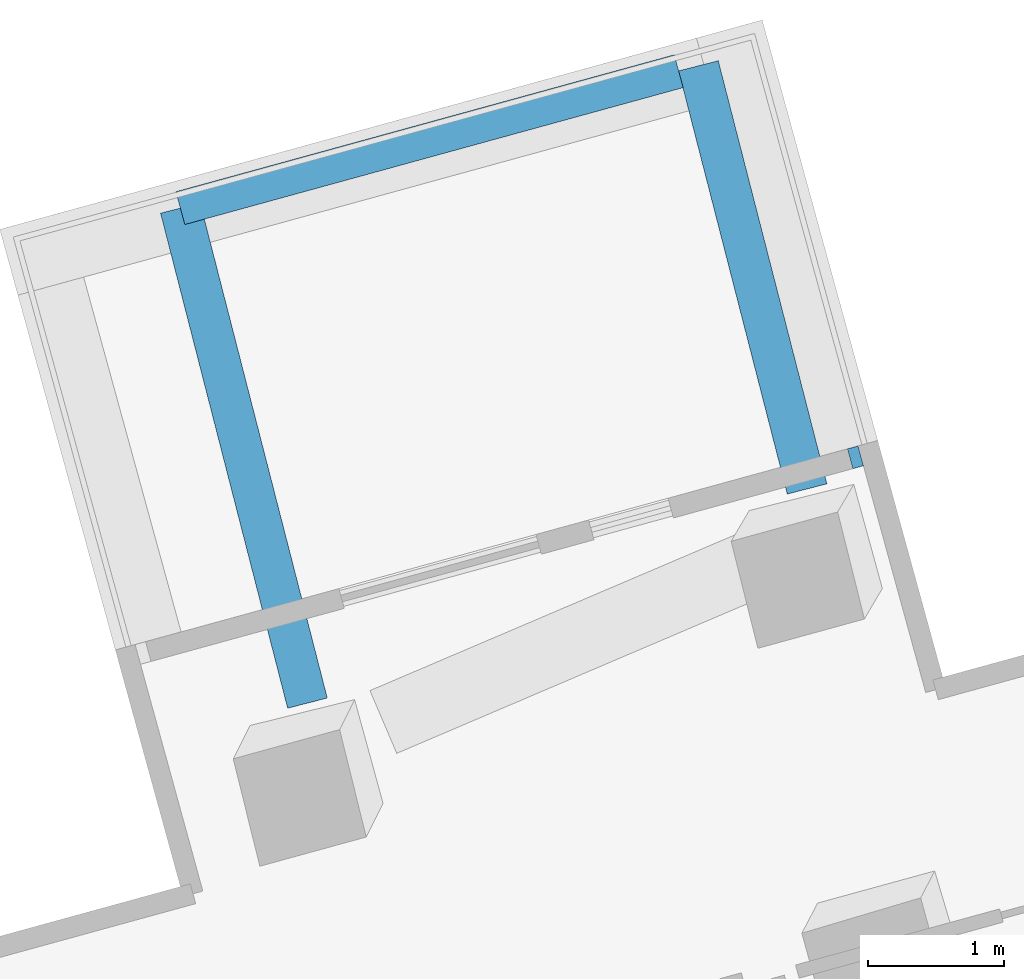
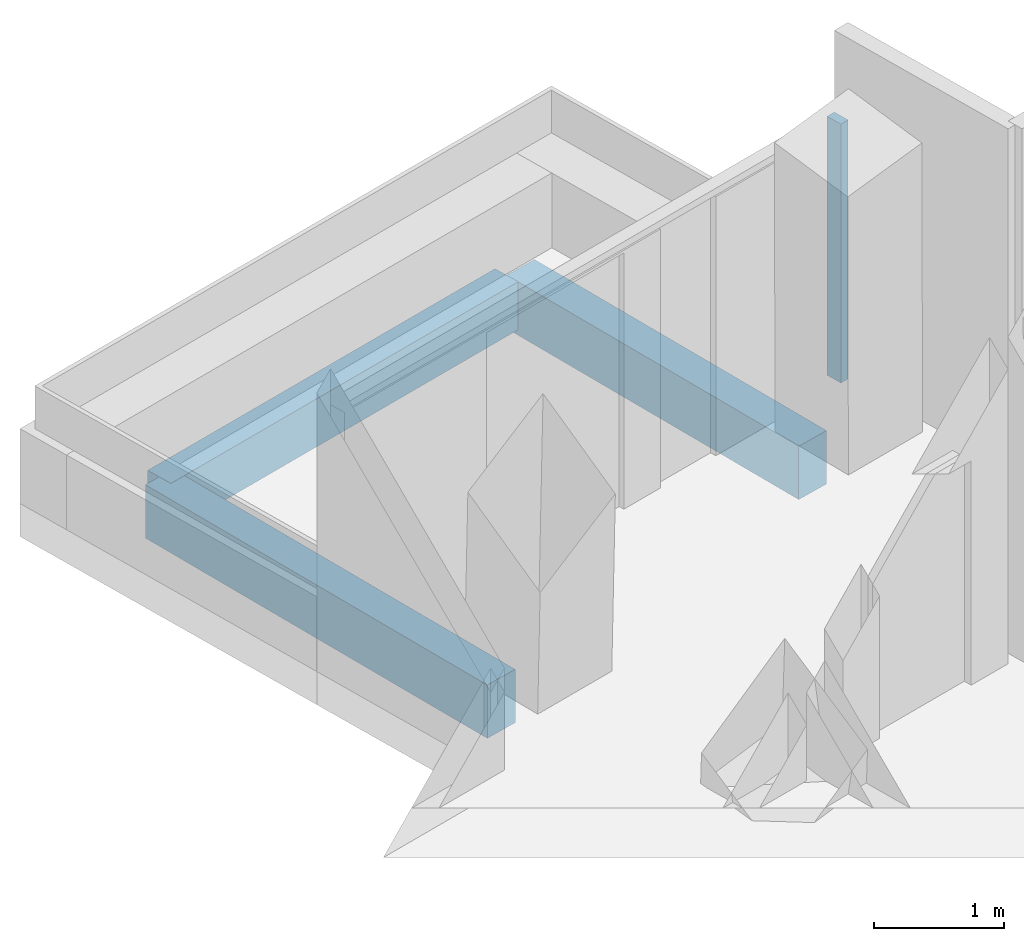
# One storey, part 11 of 26: 3 beams, 1 member, 1 element without a shape of its own.
"""IFC4 building model written with IfcOpenShell, lengths in metres."""

from ifc_helpers import new_model, si_unit, direction, frame, origin, origin_2d, place, context, subcontext, project, spatial, rectangle, extrude, material, layer, layer_set, material_profile, profile_set, type_object, element, aggregate, save


model = new_model("IFC4")

# Units and contexts
model_context = context("Model", 3, precision=1e-05, world=origin(), true_north=direction((0.0, 1.0)))
body_context = subcontext(model_context, "Body", "Model", "MODEL_VIEW")
ifc_project = project(units=[si_unit("LENGTHUNIT", "METRE"), si_unit("AREAUNIT", "SQUARE_METRE"), si_unit("VOLUMEUNIT", "CUBIC_METRE"), si_unit("PLANEANGLEUNIT", "RADIAN"), si_unit("MASSUNIT", "GRAM", prefix="KILO")], contexts=[model_context])

# Site, building, storey
site_placement = place(None, origin())
site = spatial("IfcSite", under=ifc_project, at=site_placement, CompositionType="ELEMENT")
building_placement = place(site_placement, origin())
building = spatial("IfcBuilding", under=site, at=building_placement, Name="Verdalira Terraces Hotel", CompositionType="ELEMENT")
storey_placement = place(building_placement, frame((0.0, 0.0, 96.5)))
storey = spatial("IfcBuildingStorey", under=building, at=storey_placement, Name="L22", CompositionType="ELEMENT", Elevation=96.5)

# Beams
ifc_material_1 = material(Name="Concrete C40", Category="concrete")
ifc_material_profile_1 = material_profile(ifc_material_1, rectangle(XDim=0.300049, YDim=0.5, at=origin_2d()), Name="RC 300X500")
ifc_profile_set_1 = profile_set([ifc_material_profile_1], Name="Concrete C40")
beam_type_1 = type_object("IfcBeamType", Name="Balcony cantilever beam RC 300X500 C40", PredefinedType="BEAM", material=ifc_profile_set_1)
beam_1_placement = place(storey_placement, frame((-6.629395, 32.841064, -0.560059), z_axis=(-0.248696041, 0.968581581, 0.0), x_axis=(-0.968581581, -0.248696041, 0.0)))
element("IfcBeam", 1, at=beam_1_placement, inside=storey, type_object=beam_type_1, Name="Balcony cantilever beam R05-1", PredefinedType="BEAM", context=body_context, shape_type="SweptSolid", body=[
    extrude(rectangle(XDim=0.300049, YDim=0.5, at=origin_2d()), origin(), (0.0, 0.0, 1.0), 3.205078),
])
beam_2_placement = place(storey_placement, frame((-10.294922, 31.269775, -0.560059), z_axis=(-0.24865888, 0.968591122, 0.0), x_axis=(-0.968591122, -0.24865888, 0.0)))
element("IfcBeam", 2, at=beam_2_placement, inside=storey, type_object=beam_type_1, Name="Balcony cantilever beam R05-2", PredefinedType="BEAM", context=body_context, shape_type="SweptSolid", body=[
    extrude(rectangle(XDim=0.300049, YDim=0.5, at=origin_2d()), origin(), (0.0, 0.0, 1.0), 3.749512),
])
ifc_material_2 = material(Name="Concrete C40", Category="concrete")
ifc_material_profile_2 = material_profile(ifc_material_2, rectangle(XDim=0.25, YDim=0.449951, at=origin_2d()), Name="RC 250X450")
ifc_profile_set_2 = profile_set([ifc_material_profile_2], Name="Concrete C40")
beam_type_2 = type_object("IfcBeamType", Name="Balcony edge beam RC 250X450 C40", PredefinedType="BEAM", material=ifc_profile_set_2)
beam_3_placement = place(storey_placement, frame((-7.571289, 35.905762, -0.534912), z_axis=(-0.964289718, -0.264849657, 0.0), x_axis=(0.264849657, -0.964289718, 0.0)))
element("IfcBeam", 3, at=beam_3_placement, inside=storey, type_object=beam_type_2, Name="Balcony edge beam R05-1", PredefinedType="BEAM", context=body_context, shape_type="SweptSolid", body=[
    extrude(rectangle(XDim=0.25, YDim=0.449951, at=origin_2d()), origin(), (0.0, 0.0, 1.0), 3.791504),
])

# Curtain wall, member
ifc_material_3 = material(Name="Clear glass", Category="glass")
ifc_layer = layer(ifc_material_3, 0.14990234375)
ifc_layer_set = layer_set([ifc_layer], Name="CW3 curtain wall")
curtain_wall_type = type_object("IfcCurtainWallType", Name="CW3 curtain wall", PredefinedType="NOTDEFINED", material=ifc_layer_set)
curtain_wall_placement = place(storey_placement, origin())
curtain_wall = element("IfcCurtainWall", 4, at=curtain_wall_placement, inside=storey, type_object=curtain_wall_type, Name="CW3 curtain wall L22 edge 5", PredefinedType="NOTDEFINED")
ifc_material_4 = material(Name="Terracotta frame", Category="masonry")
ifc_material_profile_3 = material_profile(ifc_material_4, rectangle(XDim=0.080078, YDim=0.149902, at=origin_2d()), Name="MU 80x150")
ifc_profile_set_3 = profile_set([ifc_material_profile_3], Name="Terracotta frame")
member_type = type_object("IfcMemberType", Name="CW3 mullion 80x150", PredefinedType="MULLION", material=ifc_profile_set_3)
member_placement = place(storey_placement, frame((-6.274658, 33.072998, 0.0), z_axis=(0.0, 0.0, 1.0), x_axis=(-0.964280562, -0.264882987, 0.0)))
member = element("IfcMember", 5, at=member_placement, type_object=member_type, Name="CW3 mullion", PredefinedType="MULLION", context=body_context, shape_type="SweptSolid", body=[
    extrude(rectangle(XDim=0.080078, YDim=0.149902, at=origin_2d()), origin(), (0.0, 0.0, 1.0), 2.425049),
])
aggregate(curtain_wall, [member])

save(model, "model.ifc")
